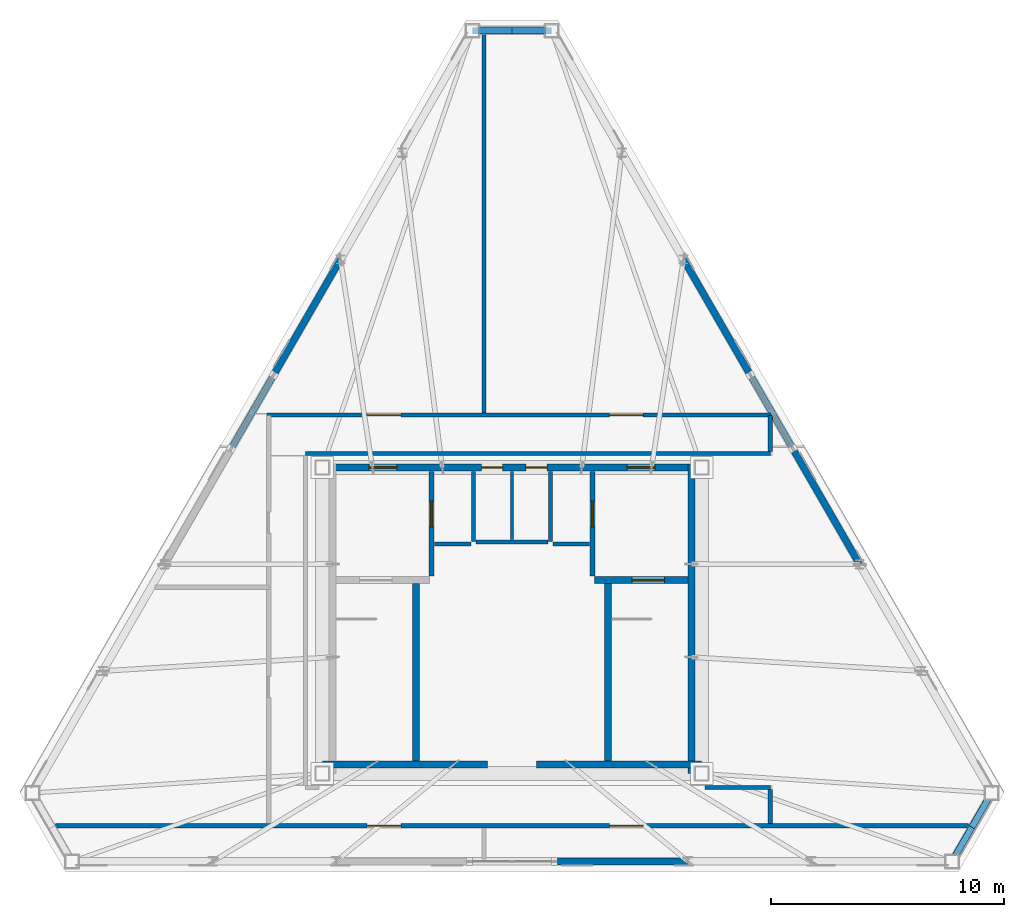
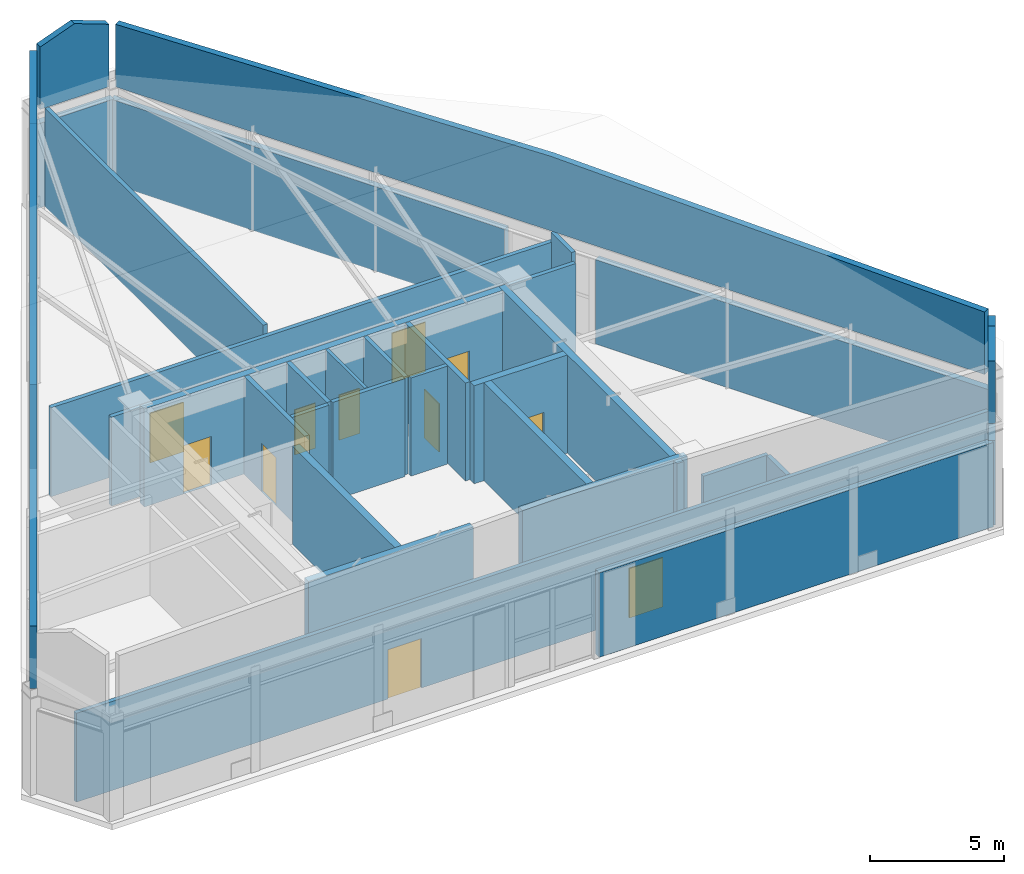
# One storey, part 10 of 11: 32 walls, 11 doors, 11 openings.
"""IFC4 building model written with IfcOpenShell, lengths in metres."""

from ifc_helpers import new_model, si_unit, direction, frame, frame_2d, origin, place, context, subcontext, project, spatial, polyline, rectangle, outline, extrude, material, layer, layer_set, type_object, element, fill, save


model = new_model("IFC4")

# Units and contexts
model_context = context("Model", 3, precision=1e-05, world=origin(), true_north=direction((0.0, 1.0)))
body_context = subcontext(model_context, "Body", "Model", "MODEL_VIEW")
ifc_project = project(units=[si_unit("LENGTHUNIT", "METRE"), si_unit("AREAUNIT", "SQUARE_METRE"), si_unit("VOLUMEUNIT", "CUBIC_METRE"), si_unit("PLANEANGLEUNIT", "RADIAN"), si_unit("MASSUNIT", "GRAM", prefix="KILO")], contexts=[model_context])

# Site, building, storey
site_placement = place(None, origin())
site = spatial("IfcSite", under=ifc_project, at=site_placement, CompositionType="ELEMENT")
building_placement = place(site_placement, origin())
building = spatial("IfcBuilding", under=site, at=building_placement, Name="Oramaril Tower", CompositionType="ELEMENT")
storey_placement = place(building_placement, frame((0.0, 0.0, 318.89990234375)))
storey = spatial("IfcBuildingStorey", under=building, at=storey_placement, Name="L83", CompositionType="ELEMENT", Elevation=318.89990234375)

# Walls
ifc_material_1 = material(Name="Warm Cream Limestone", Category="masonry")
ifc_layer_1 = layer(ifc_material_1, 0.2900390625)
ifc_layer_set_1 = layer_set([ifc_layer_1], Name="WT-EXT29")
wall_type_1 = type_object("IfcWallType", Name="WT-EXT29", PredefinedType="SOLIDWALL", material=ifc_layer_set_1)
wall_1_placement = place(storey_placement, frame((39.449951171875, 7.218994140625, 0.0), z_axis=(0.0, 0.0, 1.0), x_axis=(1.0, 0.0, 0.0)))
element("IfcWall", 1, at=wall_1_placement, inside=storey, type_object=wall_type_1, Name="L83 Tower Limestone Facade Wall 2R", PredefinedType="SOLIDWALL", context=body_context, shape_type="SweptSolid", body=[
    extrude(rectangle(XDim=16.96337890625, YDim=0.2900390625, at=frame_2d((8.481689453125, 0.0))), origin(), (0.0, 0.0, 1.0), 3.838134765625),
])
wall_2_placement = place(storey_placement, frame((56.413330078125, 7.218994140625, 0.0), z_axis=(0.0, 0.0, 1.0), x_axis=(0.499996186757, 0.86602760535, 0.0)))
element("IfcWall", 2, at=wall_2_placement, inside=storey, type_object=wall_type_1, Name="L83 Tower Limestone Facade Wall 3M", PredefinedType="SOLIDWALL", context=body_context, shape_type="SweptSolid", body=[
    extrude(rectangle(XDim=3.39697265625, YDim=0.2900390625, at=frame_2d((1.698486328125, 0.0))), origin(), (0.0, 0.0, 1.0), 3.838134765625),
])
wall_3_placement = place(storey_placement, frame((58.11181640625, 10.160888671875, 0.0), z_axis=(0.0, 0.0, 1.0), x_axis=(-0.499994871756, 0.866028364557, 0.0)))
element("IfcWall", 3, at=wall_3_placement, inside=storey, type_object=wall_type_1, Name="L83 Tower Limestone Facade Wall 4L", PredefinedType="SOLIDWALL", context=body_context, shape_type="SweptSolid", body=[
    extrude(rectangle(XDim=16.963623046875, YDim=0.2900390625, at=frame_2d((8.48193359375, 0.0))), origin(), (0.0, 0.0, 1.0), 3.838134765625),
])
wall_4_placement = place(storey_placement, frame((47.68017578125, 28.229248046875, 0.0), z_axis=(0.0, 0.0, 1.0), x_axis=(-0.500001103727, 0.866024766546, 0.0)))
element("IfcWall", 4, at=wall_4_placement, inside=storey, type_object=wall_type_1, Name="L83 Tower Limestone Facade Wall 4R", PredefinedType="SOLIDWALL", context=body_context, shape_type="SweptSolid", body=[
    extrude(rectangle(XDim=16.96337890625, YDim=0.2900390625, at=frame_2d((8.481689453125, 0.0))), origin(), (0.0, 0.0, 1.0), 3.838134765625),
])
wall_5_placement = place(storey_placement, frame((39.198486328125, 42.919921875, 0.0), z_axis=(0.0, 0.0, 1.0), x_axis=(-1.0, 0.0, 0.0)))
element("IfcWall", 5, at=wall_5_placement, inside=storey, type_object=wall_type_1, Name="L83 Tower Limestone Facade Wall 5M", PredefinedType="SOLIDWALL", context=body_context, shape_type="SweptSolid", body=[
    extrude(rectangle(XDim=3.39697265625, YDim=0.2900390625, at=frame_2d((1.698486328125, 0.0))), origin(), (0.0, 0.0, 1.0), 3.838134765625),
])
wall_6_placement = place(storey_placement, frame((35.801513671875, 42.919921875, 0.0), z_axis=(0.0, 0.0, 1.0), x_axis=(-0.500001103727, -0.866024766546, 0.0)))
element("IfcWall", 6, at=wall_6_placement, inside=storey, type_object=wall_type_1, Name="L83 Tower Limestone Facade Wall 6L", PredefinedType="SOLIDWALL", context=body_context, shape_type="SweptSolid", body=[
    extrude(rectangle(XDim=16.96337890625, YDim=0.2900390625, at=frame_2d((8.481689453125, 0.0))), origin(), (0.0, 0.0, 1.0), 3.838134765625),
])
ifc_material_2 = material(Name="Warm Cream Limestone", Category="masonry")
ifc_layer_2 = layer(ifc_material_2, 0.27001953125)
ifc_layer_set_2 = layer_set([ifc_layer_2], Name="WT-PRP27")
wall_type_2 = type_object("IfcWallType", Name="WT-PRP27", PredefinedType="PARAPET", material=ifc_layer_set_2)
wall_7_placement = place(storey_placement, frame((56.5234375, 7.409423828125, 4.460205078125), z_axis=(0.0, 0.0, 1.0), x_axis=(0.499974964482, 0.866039857565, 0.0)))
element("IfcWall", 7, at=wall_7_placement, inside=storey, type_object=wall_type_2, Name="L83 Folded Crown Parapet PW-3", PredefinedType="PARAPET", context=body_context, shape_type="SweptSolid", body=[
    extrude(outline(polyline([(0.0, 0.0), (2.957275390625, 0.0), (2.95703125, 2.83984375), (1.478515625, 3.389892578125), (0.0, 2.83984375), (0.0, 0.0)])), frame((0.0, 0.135009765625, 0.0), z_axis=(0.0, -1.0, 0.0), x_axis=(1.0, 0.0, 0.0)), (0.0, 0.0, 1.0), 0.27001953125),
])
wall_8_placement = place(storey_placement, frame((58.001953125, 10.3515625, 4.460205078125), z_axis=(0.0, 0.0, 1.0), x_axis=(-0.499999056233, 0.866025948668, 0.0)))
element("IfcWall", 8, at=wall_8_placement, inside=storey, type_object=wall_type_2, Name="L83 Folded Crown Parapet PW-4", PredefinedType="PARAPET", context=body_context, shape_type="SweptSolid", body=[
    extrude(outline(polyline([(0.0, 0.0), (37.38671875, 0.0), (37.386962890625, 2.83984375), (18.693359375, 3.389892578125), (0.0, 2.83984375), (0.0, 0.0)])), frame((0.0, 0.135009765625, 0.0), z_axis=(0.0, -1.0, 0.0), x_axis=(1.0, 0.0, 0.0)), (0.0, 0.0, 1.0), 0.27001953125),
])
wall_9_placement = place(storey_placement, frame((38.978515625, 42.919921875, 4.460205078125), z_axis=(0.0, 0.0, 1.0), x_axis=(-1.0, 0.0, 0.0)))
element("IfcWall", 9, at=wall_9_placement, inside=storey, type_object=wall_type_2, Name="L83 Folded Crown Parapet PW-5", PredefinedType="PARAPET", context=body_context, shape_type="SweptSolid", body=[
    extrude(outline(polyline([(0.0, 0.0), (2.95703125, 0.0), (2.95703125, 2.83984375), (1.478515625, 3.389892578125), (0.0, 2.83984375), (0.0, 0.0)])), frame((0.0, 0.135009765625, 0.0), z_axis=(0.0, -1.0, 0.0), x_axis=(1.0, 0.0, 0.0)), (0.0, 0.0, 1.0), 0.27001953125),
])
wall_10_placement = place(storey_placement, frame((35.69140625, 42.7294921875, 4.460205078125), z_axis=(0.0, 0.0, 1.0), x_axis=(-0.499999056233, -0.866025948668, 0.0)))
element("IfcWall", 10, at=wall_10_placement, inside=storey, type_object=wall_type_2, Name="L83 Folded Crown Parapet PW-6", PredefinedType="PARAPET", context=body_context, shape_type="SweptSolid", body=[
    extrude(outline(polyline([(0.0, 0.0), (37.38671875, 0.0), (37.386962890625, 2.83984375), (18.693359375, 3.389892578125), (0.0, 2.83984375), (0.0, 0.0)])), frame((0.0, 0.135009765625, 0.0), z_axis=(0.0, -1.0, 0.0), x_axis=(1.0, 0.0, 0.0)), (0.0, 0.0, 1.0), 0.27001953125),
])
ifc_material_3 = material(Name="Acoustic Gypsum Board Partition")
ifc_layer_3 = layer(ifc_material_3, 0.139892578125)
ifc_layer_set_3 = layer_set([ifc_layer_3], Name="WT-PT14")
wall_type_3 = type_object("IfcWallType", Name="WT-PT14", PredefinedType="PARTITIONING", material=ifc_layer_set_3)
wall_11_placement = place(storey_placement, frame((37.5, 21.06005859375, 0.0), z_axis=(0.0, 0.0, 1.0), x_axis=(0.0, 1.0, 0.0)))
element("IfcWall", 11, at=wall_11_placement, inside=storey, type_object=wall_type_3, Name="L83 Core Service Divider", PredefinedType="PARTITIONING", context=body_context, shape_type="SweptSolid", body=[
    extrude(rectangle(XDim=2.919921875, YDim=0.139892578125, at=frame_2d((1.4599609375, 0.0))), origin(), (0.0, 0.0, 1.0), 4.460205078125),
])
ifc_material_4 = material(Name="Autoclaved Cellular Concrete Block", Category="concrete")
ifc_layer_4 = layer(ifc_material_4, 0.179931640625)
ifc_layer_set_4 = layer_set([ifc_layer_4], Name="WT-PT18")
wall_type_4 = type_object("IfcWallType", Name="WT-PT18", PredefinedType="PARTITIONING", material=ifc_layer_set_4)
wall_12_placement = place(storey_placement, frame((35.840087890625, 20.9599609375, 0.0), z_axis=(0.0, 0.0, 1.0), x_axis=(0.0, 1.0, 0.0)))
element("IfcWall", 12, at=wall_12_placement, inside=storey, type_object=wall_type_4, Name="L83 FL-1 East Shaft Wall", PredefinedType="PARTITIONING", context=body_context, shape_type="SweptSolid", body=[
    extrude(rectangle(XDim=3.02001953125, YDim=0.179931640625, at=frame_2d((1.510009765625, 0.0))), origin(), (0.0, 0.0, 1.0), 4.460205078125),
])
wall_13_placement = place(storey_placement, frame((34.159912109375, 20.860107421875, 0.0), z_axis=(0.0, 0.0, 1.0), x_axis=(1.0, 0.0, 0.0)))
element("IfcWall", 13, at=wall_13_placement, inside=storey, type_object=wall_type_4, Name="L83 FL-1 South Shaft Wall", PredefinedType="PARTITIONING", context=body_context, shape_type="SweptSolid", body=[
    extrude(rectangle(XDim=1.580078125, YDim=0.179931640625, at=frame_2d((0.7900390625, 0.0))), origin(), (0.0, 0.0, 1.0), 4.460205078125),
])
wall_14_placement = place(storey_placement, frame((39.159912109375, 20.9599609375, 0.0), z_axis=(0.0, 0.0, 1.0), x_axis=(0.0, 1.0, 0.0)))
element("IfcWall", 14, at=wall_14_placement, inside=storey, type_object=wall_type_4, Name="L83 FL-2 West Shaft Wall", PredefinedType="PARTITIONING", context=body_context, shape_type="SweptSolid", body=[
    extrude(rectangle(XDim=3.02001953125, YDim=0.179931640625, at=frame_2d((1.510009765625, 0.0))), origin(), (0.0, 0.0, 1.0), 4.460205078125),
])
wall_15_placement = place(storey_placement, frame((39.260009765625, 20.860107421875, 0.0), z_axis=(0.0, 0.0, 1.0), x_axis=(1.0, 0.0, 0.0)))
element("IfcWall", 15, at=wall_15_placement, inside=storey, type_object=wall_type_4, Name="L83 FL-2 South Shaft Wall", PredefinedType="PARTITIONING", context=body_context, shape_type="SweptSolid", body=[
    extrude(rectangle(XDim=1.580078125, YDim=0.179931640625, at=frame_2d((0.7900390625, 0.0))), origin(), (0.0, 0.0, 1.0), 4.460205078125),
])
wall_16_placement = place(storey_placement, frame((35.949951171875, 20.949951171875, 0.0), z_axis=(0.0, 0.0, 1.0), x_axis=(1.0, 0.0, 0.0)))
element("IfcWall", 16, at=wall_16_placement, inside=storey, type_object=wall_type_4, Name="L83 Lift Lobby North Partition", PredefinedType="PARTITIONING", context=body_context, shape_type="SweptSolid", body=[
    extrude(rectangle(XDim=3.10009765625, YDim=0.179931640625, at=frame_2d((1.550048828125, 0.0))), origin(), (0.0, 0.0, 1.0), 4.460205078125),
])

# Wall, openings, doors
wall_17_placement = place(storey_placement, frame((17.874755859375, 8.75, 0.0), z_axis=(0.0, 0.0, 1.0), x_axis=(1.0, 0.0, 0.0)))
wall_17 = element("IfcWall", 17, at=wall_17_placement, inside=storey, type_object=wall_type_4, Name="L83 Interior Partition PT-18", PredefinedType="PARTITIONING", context=body_context, shape_type="SweptSolid", body=[
    extrude(rectangle(XDim=39.25048828125, YDim=0.179931640625, at=frame_2d((19.625244140625, 0.0))), origin(), (0.0, 0.0, 1.0), 4.046142578125),
])
opening_1_placement = place(wall_17_placement, frame((13.398193359375, 0.0, 0.0)))
opening_1 = element("IfcOpeningElement", 18, at=opening_1_placement, cuts=wall_17, Name="Opening D-L83-01", PredefinedType="OPENING", context=body_context, shape_type="SweptSolid", body=[
    extrude(rectangle(XDim=1.449951171875, YDim=2.25, at=frame_2d((0.72509765625, 1.125))), frame((0.0, 0.08984375, 0.0), z_axis=(0.0, -1.0, 0.0), x_axis=(1.0, 0.0, 0.0)), (0.0, 0.0, 1.0), 0.179931640625),
])
opening_2_placement = place(wall_17_placement, frame((23.82421875, 0.0, 0.0)))
opening_2 = element("IfcOpeningElement", 19, at=opening_2_placement, cuts=wall_17, Name="Opening D-L83-02", PredefinedType="OPENING", context=body_context, shape_type="SweptSolid", body=[
    extrude(rectangle(XDim=1.449951171875, YDim=2.25, at=frame_2d((0.72509765625, 1.125))), frame((0.0, 0.08984375, 0.0), z_axis=(0.0, -1.0, 0.0), x_axis=(1.0, 0.0, 0.0)), (0.0, 0.0, 1.0), 0.179931640625),
])
ifc_material_5 = material(Name="Painted Galvanised Steel", Category="steel")
door_type_1 = type_object("IfcDoorType", Name="DT-PLT", OperationType="NOTDEFINED", PredefinedType="DOOR", material=ifc_material_5)
door_1_placement = place(opening_1_placement, origin())
door_1 = element("IfcDoor", 20, at=door_1_placement, inside=storey, type_object=door_type_1, Name="L83 L83 Chiller Plant Room Door D-L83-01", OperationType="SINGLE_SWING_RIGHT", OverallHeight=2.25, OverallWidth=1.449951171875, PredefinedType="DOOR", context=body_context, shape_type="SweptSolid", body=[
    extrude(rectangle(XDim=1.449951171875, YDim=2.25, at=frame_2d((0.72509765625, 1.125))), frame((0.0, 0.02490234375, 0.0), z_axis=(0.0, -1.0, 0.0), x_axis=(1.0, 0.0, 0.0)), (0.0, 0.0, 1.0), 0.050048828125),
])
fill(opening_1, door_1)
door_2_placement = place(opening_2_placement, origin())
door_2 = element("IfcDoor", 21, at=door_2_placement, inside=storey, type_object=door_type_1, Name="L83 L83 Air Handling Plant Room Door D-L83-02", OperationType="SINGLE_SWING_LEFT", OverallHeight=2.25, OverallWidth=1.449951171875, PredefinedType="DOOR", context=body_context, shape_type="SweptSolid", body=[
    extrude(rectangle(XDim=1.449951171875, YDim=2.25, at=frame_2d((0.72509765625, 1.125))), frame((0.0, 0.02490234375, 0.0), z_axis=(0.0, -1.0, 0.0), x_axis=(1.0, 0.0, 0.0)), (0.0, 0.0, 1.0), 0.050048828125),
])
fill(opening_2, door_2)

# Walls
wall_18_placement = place(storey_placement, frame((45.800048828125, 10.39990234375, 0.0), z_axis=(0.0, 0.0, 1.0), x_axis=(1.0, 0.0, 0.0)))
element("IfcWall", 22, at=wall_18_placement, inside=storey, type_object=wall_type_4, Name="L83 Interior Partition PT-18", PredefinedType="PARTITIONING", context=body_context, shape_type="SweptSolid", body=[
    extrude(rectangle(XDim=2.800048828125, YDim=0.179931640625, at=frame_2d((1.39990234375, 0.0))), origin(), (0.0, 0.0, 1.0), 4.046142578125),
])
wall_19_placement = place(storey_placement, frame((28.6201171875, 24.75, 0.0), z_axis=(0.0, 0.0, 1.0), x_axis=(1.0, 0.0, 0.0)))
element("IfcWall", 23, at=wall_19_placement, inside=storey, type_object=wall_type_4, Name="L83 Interior Partition PT-18", PredefinedType="PARTITIONING", context=body_context, shape_type="SweptSolid", body=[
    extrude(rectangle(XDim=19.97998046875, YDim=0.179931640625, at=frame_2d((9.989990234375, 0.0))), origin(), (0.0, 0.0, 1.0), 4.046142578125),
])

# Wall, openings, doors
wall_20_placement = place(storey_placement, frame((26.98193359375, 26.39990234375, 0.0), z_axis=(0.0, 0.0, 1.0), x_axis=(1.0, 0.0, 0.0)))
wall_20 = element("IfcWall", 24, at=wall_20_placement, inside=storey, type_object=wall_type_4, Name="L83 Interior Partition PT-18", PredefinedType="PARTITIONING", context=body_context, shape_type="SweptSolid", body=[
    extrude(rectangle(XDim=21.649169921875, YDim=0.179931640625, at=frame_2d((10.82470703125, 0.0))), origin(), (0.0, 0.0, 1.0), 4.046142578125),
])
opening_3_placement = place(wall_20_placement, frame((4.291015625, 0.0, 0.0)))
opening_3 = element("IfcOpeningElement", 25, at=opening_3_placement, cuts=wall_20, Name="Opening D-L83-03", PredefinedType="OPENING", context=body_context, shape_type="SweptSolid", body=[
    extrude(rectangle(XDim=1.449951171875, YDim=2.25, at=frame_2d((0.72509765625, 1.125))), frame((0.0, 0.08984375, 0.0), z_axis=(0.0, -1.0, 0.0), x_axis=(1.0, 0.0, 0.0)), (0.0, 0.0, 1.0), 0.179931640625),
])
opening_4_placement = place(wall_20_placement, frame((14.698486328125, 0.0, 0.0)))
opening_4 = element("IfcOpeningElement", 26, at=opening_4_placement, cuts=wall_20, Name="Opening D-L83-04", PredefinedType="OPENING", context=body_context, shape_type="SweptSolid", body=[
    extrude(rectangle(XDim=1.449951171875, YDim=2.25, at=frame_2d((0.72509765625, 1.125))), frame((0.0, 0.08984375, 0.0), z_axis=(0.0, -1.0, 0.0), x_axis=(1.0, 0.0, 0.0)), (0.0, 0.0, 1.0), 0.179931640625),
])
door_3_placement = place(opening_3_placement, origin())
door_3 = element("IfcDoor", 27, at=door_3_placement, inside=storey, type_object=door_type_1, Name="L83 L83 Fire Water Tank Plant Room Door D-L83-03", OperationType="SINGLE_SWING_RIGHT", OverallHeight=2.25, OverallWidth=1.449951171875, PredefinedType="DOOR", context=body_context, shape_type="SweptSolid", body=[
    extrude(rectangle(XDim=1.449951171875, YDim=2.25, at=frame_2d((0.72509765625, 1.125))), frame((0.0, 0.02490234375, 0.0), z_axis=(0.0, -1.0, 0.0), x_axis=(1.0, 0.0, 0.0)), (0.0, 0.0, 1.0), 0.050048828125),
])
fill(opening_3, door_3)
door_4_placement = place(opening_4_placement, origin())
door_4 = element("IfcDoor", 28, at=door_4_placement, inside=storey, type_object=door_type_1, Name="L83 L83 Stair Pressurisation Plant Room Door D-L83-04", OperationType="SINGLE_SWING_LEFT", OverallHeight=2.25, OverallWidth=1.449951171875, PredefinedType="DOOR", context=body_context, shape_type="SweptSolid", body=[
    extrude(rectangle(XDim=1.449951171875, YDim=2.25, at=frame_2d((0.72509765625, 1.125))), frame((0.0, 0.02490234375, 0.0), z_axis=(0.0, -1.0, 0.0), x_axis=(1.0, 0.0, 0.0)), (0.0, 0.0, 1.0), 0.050048828125),
])
fill(opening_4, door_4)

# Walls
wall_21_placement = place(storey_placement, frame((36.300048828125, 26.493896484375, 0.0), z_axis=(0.0, 0.0, 1.0), x_axis=(0.0, 1.0, 0.0)))
element("IfcWall", 29, at=wall_21_placement, inside=storey, type_object=wall_type_4, Name="L83 Interior Partition PT-18", PredefinedType="PARTITIONING", context=body_context, shape_type="SweptSolid", body=[
    extrude(rectangle(XDim=16.277099609375, YDim=0.179931640625, at=frame_2d((8.138671875, 0.0))), origin(), (0.0, 0.0, 1.0), 4.460205078125),
])
wall_22_placement = place(storey_placement, frame((48.60009765625, 8.843994140625, 0.0), z_axis=(0.0, 0.0, 1.0), x_axis=(0.0, 1.0, 0.0)))
element("IfcWall", 30, at=wall_22_placement, inside=storey, type_object=wall_type_4, Name="L83 Interior Partition PT-18", PredefinedType="PARTITIONING", context=body_context, shape_type="SweptSolid", body=[
    extrude(rectangle(XDim=1.4619140625, YDim=0.179931640625, at=frame_2d((0.73095703125, 0.0))), origin(), (0.0, 0.0, 1.0), 4.046142578125),
])
wall_23_placement = place(storey_placement, frame((48.60009765625, 24.843994140625, 0.0), z_axis=(0.0, 0.0, 1.0), x_axis=(0.0, 1.0, 0.0)))
element("IfcWall", 31, at=wall_23_placement, inside=storey, type_object=wall_type_4, Name="L83 Interior Partition PT-18", PredefinedType="PARTITIONING", context=body_context, shape_type="SweptSolid", body=[
    extrude(rectangle(XDim=1.530029296875, YDim=0.179931640625, at=frame_2d((0.76513671875, 0.0))), origin(), (0.0, 0.0, 1.0), 4.460205078125),
])
ifc_material_6 = material(Name="Concrete C50/60", Category="concrete")
ifc_layer_5 = layer(ifc_material_6, 0.300048828125)
ifc_layer_set_5 = layer_set([ifc_layer_5], Name="WT-SH30")
wall_type_5 = type_object("IfcWallType", Name="WT-SH30", PredefinedType="SHEAR", material=ifc_layer_set_5)
wall_24_placement = place(storey_placement, frame((45.2099609375, 11.0, 0.0), z_axis=(0.0, 0.0, 1.0), x_axis=(0.0, 1.0, 0.0)))
element("IfcWall", 32, at=wall_24_placement, inside=storey, type_object=wall_type_5, Name="L83 Core Shear Wall CW-E", PredefinedType="SHEAR", context=body_context, shape_type="SweptSolid", body=[
    extrude(rectangle(XDim=13.300048828125, YDim=0.300048828125, at=frame_2d((6.64990234375, 0.0))), origin(), (0.0, 0.0, 1.0), 4.460205078125),
])
for number, where, z_axis, x_axis, name in (
    (33, (29.35009765625, 11.389892578125, 0.0), (0.0, 0.0, 1.0), (1.0, 0.0, 0.0), "L83 Core Shear Wall CW-SW"),
    (34, (38.550048828125, 11.389892578125, 0.0), (0.0, 0.0, 1.0), (1.0, 0.0, 0.0), "L83 Core Shear Wall CW-SE"),
):
    element("IfcWall", number, at=place(storey_placement, frame(where, z_axis=z_axis, x_axis=x_axis)), inside=storey, type_object=wall_type_5, Name=name, PredefinedType="SHEAR", context=body_context, shape_type="SweptSolid", body=[
        extrude(rectangle(XDim=7.099853515625, YDim=0.300048828125, at=frame_2d((3.5498046875, 0.0))), origin(), (0.0, 0.0, 1.0), 4.460205078125),
    ])

# Wall, openings, doors
wall_25_placement = place(storey_placement, frame((29.64990234375, 24.14990234375, 0.0), z_axis=(0.0, 0.0, 1.0), x_axis=(1.0, 0.0, 0.0)))
wall_25 = element("IfcWall", 35, at=wall_25_placement, inside=storey, type_object=wall_type_5, Name="L83 Core Shear Wall CW-N", PredefinedType="SHEAR", context=body_context, shape_type="SweptSolid", body=[
    extrude(rectangle(XDim=15.7001953125, YDim=0.300048828125, at=frame_2d((7.85009765625, 0.0))), origin(), (0.0, 0.0, 1.0), 4.460205078125),
])
opening_5_placement = place(wall_25_placement, frame((1.699951171875, 0.0, 0.0)))
opening_5 = element("IfcOpeningElement", 36, at=opening_5_placement, cuts=wall_25, Name="Opening D-L83-FFL1", PredefinedType="OPENING", context=body_context, shape_type="SweptSolid", body=[
    extrude(rectangle(XDim=1.199951171875, YDim=2.199951171875, at=frame_2d((0.60009765625, 1.10009765625))), frame((0.0, 0.14990234375, 0.0), z_axis=(0.0, -1.0, 0.0), x_axis=(1.0, 0.0, 0.0)), (0.0, 0.0, 1.0), 0.300048828125),
])
opening_6_placement = place(wall_25_placement, frame((12.800048828125, 0.0, 0.0)))
opening_6 = element("IfcOpeningElement", 37, at=opening_6_placement, cuts=wall_25, Name="Opening D-L83-FFL2", PredefinedType="OPENING", context=body_context, shape_type="SweptSolid", body=[
    extrude(rectangle(XDim=1.199951171875, YDim=2.199951171875, at=frame_2d((0.60009765625, 1.10009765625))), frame((0.0, 0.14990234375, 0.0), z_axis=(0.0, -1.0, 0.0), x_axis=(1.0, 0.0, 0.0)), (0.0, 0.0, 1.0), 0.300048828125),
])
opening_7_placement = place(wall_25_placement, frame((6.550048828125, 0.0, 0.0)))
opening_7 = element("IfcOpeningElement", 38, at=opening_7_placement, cuts=wall_25, Name="Opening D-L83-SV1", PredefinedType="OPENING", context=body_context, shape_type="SweptSolid", body=[
    extrude(rectangle(XDim=0.89990234375, YDim=2.050048828125, at=frame_2d((0.449951171875, 1.02490234375))), frame((0.0, 0.14990234375, 0.0), z_axis=(0.0, -1.0, 0.0), x_axis=(1.0, 0.0, 0.0)), (0.0, 0.0, 1.0), 0.300048828125),
])
opening_8_placement = place(wall_25_placement, frame((8.449951171875, 0.0, 0.0)))
opening_8 = element("IfcOpeningElement", 39, at=opening_8_placement, cuts=wall_25, Name="Opening D-L83-SV2", PredefinedType="OPENING", context=body_context, shape_type="SweptSolid", body=[
    extrude(rectangle(XDim=0.89990234375, YDim=2.050048828125, at=frame_2d((0.449951171875, 1.02490234375))), frame((0.0, 0.14990234375, 0.0), z_axis=(0.0, -1.0, 0.0), x_axis=(1.0, 0.0, 0.0)), (0.0, 0.0, 1.0), 0.300048828125),
])
ifc_material_7 = material(Name="Painted Galvanised Steel", Category="steel")
door_type_2 = type_object("IfcDoorType", Name="DT-FFL", OperationType="NOTDEFINED", PredefinedType="DOOR", material=ifc_material_7)
door_5_placement = place(opening_5_placement, origin())
door_5 = element("IfcDoor", 40, at=door_5_placement, inside=storey, type_object=door_type_2, Name="L83 Firefighting Lobby 1 Fire Door", OperationType="SINGLE_SWING_LEFT", OverallHeight=2.199951171875, OverallWidth=1.199951171875, PredefinedType="DOOR", context=body_context, shape_type="SweptSolid", body=[
    extrude(rectangle(XDim=1.199951171875, YDim=2.199951171875, at=frame_2d((0.60009765625, 1.10009765625))), frame((0.0, 0.02490234375, 0.0), z_axis=(0.0, -1.0, 0.0), x_axis=(1.0, 0.0, 0.0)), (0.0, 0.0, 1.0), 0.050048828125),
])
fill(opening_5, door_5)
door_6_placement = place(opening_6_placement, origin())
door_6 = element("IfcDoor", 41, at=door_6_placement, inside=storey, type_object=door_type_2, Name="L83 Firefighting Lobby 2 Fire Door", OperationType="SINGLE_SWING_RIGHT", OverallHeight=2.199951171875, OverallWidth=1.199951171875, PredefinedType="DOOR", context=body_context, shape_type="SweptSolid", body=[
    extrude(rectangle(XDim=1.199951171875, YDim=2.199951171875, at=frame_2d((0.60009765625, 1.10009765625))), frame((0.0, 0.02490234375, 0.0), z_axis=(0.0, -1.0, 0.0), x_axis=(1.0, 0.0, 0.0)), (0.0, 0.0, 1.0), 0.050048828125),
])
fill(opening_6, door_6)
ifc_material_8 = material(Name="Painted Galvanised Steel", Category="steel")
door_type_3 = type_object("IfcDoorType", Name="DT-SVC", OperationType="NOTDEFINED", PredefinedType="DOOR", material=ifc_material_8)
door_7_placement = place(opening_7_placement, origin())
door_7 = element("IfcDoor", 42, at=door_7_placement, inside=storey, type_object=door_type_3, Name="L83 Core Service Store 1 Door", OperationType="SINGLE_SWING_LEFT", OverallHeight=2.050048828125, OverallWidth=0.89990234375, PredefinedType="DOOR", context=body_context, shape_type="SweptSolid", body=[
    extrude(rectangle(XDim=0.89990234375, YDim=2.050048828125, at=frame_2d((0.449951171875, 1.02490234375))), frame((0.0, 0.02490234375, 0.0), z_axis=(0.0, -1.0, 0.0), x_axis=(1.0, 0.0, 0.0)), (0.0, 0.0, 1.0), 0.050048828125),
])
fill(opening_7, door_7)
door_8_placement = place(opening_8_placement, origin())
door_8 = element("IfcDoor", 43, at=door_8_placement, inside=storey, type_object=door_type_3, Name="L83 Core Service Store 2 Door", OperationType="SINGLE_SWING_RIGHT", OverallHeight=2.050048828125, OverallWidth=0.89990234375, PredefinedType="DOOR", context=body_context, shape_type="SweptSolid", body=[
    extrude(rectangle(XDim=0.89990234375, YDim=2.050048828125, at=frame_2d((0.449951171875, 1.02490234375))), frame((0.0, 0.02490234375, 0.0), z_axis=(0.0, -1.0, 0.0), x_axis=(1.0, 0.0, 0.0)), (0.0, 0.0, 1.0), 0.050048828125),
])
fill(opening_8, door_8)

# Wall, opening, door
wall_26_placement = place(storey_placement, frame((41.050048828125, 19.31005859375, 0.0), z_axis=(0.0, 0.0, 1.0), x_axis=(1.0, 0.0, 0.0)))
wall_26 = element("IfcWall", 44, at=wall_26_placement, inside=storey, type_object=wall_type_5, Name="L83 Core Shear Wall CW-ST2N", PredefinedType="SHEAR", context=body_context, shape_type="SweptSolid", body=[
    extrude(rectangle(XDim=4.010009765625, YDim=0.300048828125, at=frame_2d((2.0048828125, 0.0))), origin(), (0.0, 0.0, 1.0), 4.460205078125),
])
opening_9_placement = place(wall_26_placement, frame((1.60009765625, 0.0, 0.0)))
opening_9 = element("IfcOpeningElement", 45, at=opening_9_placement, cuts=wall_26, Name="Opening D-L83-ST2", PredefinedType="OPENING", context=body_context, shape_type="SweptSolid", body=[
    extrude(rectangle(XDim=1.39990234375, YDim=2.199951171875, at=frame_2d((0.699951171875, 1.10009765625))), frame((0.0, 0.14990234375, 0.0), z_axis=(0.0, -1.0, 0.0), x_axis=(1.0, 0.0, 0.0)), (0.0, 0.0, 1.0), 0.300048828125),
])
ifc_material_9 = material(Name="Painted Galvanised Steel", Category="steel")
door_type_4 = type_object("IfcDoorType", Name="DT-ST", OperationType="NOTDEFINED", PredefinedType="DOOR", material=ifc_material_9)
door_9_placement = place(opening_9_placement, origin())
door_9 = element("IfcDoor", 46, at=door_9_placement, inside=storey, type_object=door_type_4, Name="L83 Protected Stair ST-2 Fire Door", OperationType="SINGLE_SWING_RIGHT", OverallHeight=2.199951171875, OverallWidth=1.39990234375, PredefinedType="DOOR", context=body_context, shape_type="SweptSolid", body=[
    extrude(rectangle(XDim=1.39990234375, YDim=2.199951171875, at=frame_2d((0.699951171875, 1.10009765625))), frame((0.0, 0.02490234375, 0.0), z_axis=(0.0, -1.0, 0.0), x_axis=(1.0, 0.0, 0.0)), (0.0, 0.0, 1.0), 0.050048828125),
])
fill(opening_9, door_9)

# Walls
for number, where, z_axis, x_axis, name in (
    (47, (33.3798828125, 11.5400390625, 0.0), (0.0, 0.0, 1.0), (0.0, 1.0, 0.0), "L83 Core Shear Wall CW-ST1E"),
    (48, (41.6201171875, 11.5400390625, 0.0), (0.0, 0.0, 1.0), (0.0, 1.0, 0.0), "L83 Core Shear Wall CW-ST2W"),
):
    element("IfcWall", number, at=place(storey_placement, frame(where, z_axis=z_axis, x_axis=x_axis)), inside=storey, type_object=wall_type_5, Name=name, PredefinedType="SHEAR", context=body_context, shape_type="SweptSolid", body=[
        extrude(rectangle(XDim=7.619873046875, YDim=0.300048828125, at=frame_2d((3.81005859375, 0.0))), origin(), (0.0, 0.0, 1.0), 4.460205078125),
    ])

# Wall, opening, door
ifc_material_10 = material(Name="Autoclaved Cellular Concrete Block", Category="concrete")
ifc_layer_6 = layer(ifc_material_10, 0.199951171875)
ifc_layer_set_6 = layer_set([ifc_layer_6], Name="WT-SHF20")
wall_type_6 = type_object("IfcWallType", Name="WT-SHF20", PredefinedType="PARTITIONING", material=ifc_layer_set_6)
wall_27_placement = place(storey_placement, frame((34.0400390625, 19.47998046875, 0.0), z_axis=(0.0, 0.0, 1.0), x_axis=(0.0, 1.0, 0.0)))
wall_27 = element("IfcWall", 49, at=wall_27_placement, inside=storey, type_object=wall_type_6, Name="L83 FL-1 Lobby Shaft Wall", PredefinedType="PARTITIONING", context=body_context, shape_type="SweptSolid", body=[
    extrude(rectangle(XDim=4.5, YDim=0.199951171875, at=frame_2d((2.25, 0.0))), origin(), (0.0, 0.0, 1.0), 4.460205078125),
])
opening_10_placement = place(wall_27_placement, frame((2.1201171875, 0.0, 0.0)))
opening_10 = element("IfcOpeningElement", 50, at=opening_10_placement, cuts=wall_27, Name="Opening LD-L83-FL-1", PredefinedType="OPENING", context=body_context, shape_type="SweptSolid", body=[
    extrude(rectangle(XDim=1.10009765625, YDim=2.199951171875, at=frame_2d((0.550048828125, 1.10009765625))), frame((0.0, 0.10009765625, 0.0), z_axis=(0.0, -1.0, 0.0), x_axis=(1.0, 0.0, 0.0)), (0.0, 0.0, 1.0), 0.199951171875),
])
ifc_material_11 = material(Name="Stainless Steel 316L", Category="steel")
door_type_5 = type_object("IfcDoorType", Name="DT-LD1", OperationType="NOTDEFINED", PredefinedType="DOOR", material=ifc_material_11)
door_10_placement = place(opening_10_placement, origin())
door_10 = element("IfcDoor", 51, at=door_10_placement, inside=storey, type_object=door_type_5, Name="L83 Lift FL-1 Sliding Landing Door", OperationType="SLIDING_TO_LEFT", OverallHeight=2.199951171875, OverallWidth=1.10009765625, PredefinedType="DOOR", context=body_context, shape_type="SweptSolid", body=[
    extrude(rectangle(XDim=1.10009765625, YDim=2.199951171875, at=frame_2d((0.550048828125, 1.10009765625))), frame((0.0, 0.02490234375, 0.0), z_axis=(0.0, -1.0, 0.0), x_axis=(1.0, 0.0, 0.0)), (0.0, 0.0, 1.0), 0.050048828125),
])
fill(opening_10, door_10)

wall_28_placement = place(storey_placement, frame((40.9599609375, 19.47998046875, 0.0), z_axis=(0.0, 0.0, 1.0), x_axis=(0.0, 1.0, 0.0)))
wall_28 = element("IfcWall", 52, at=wall_28_placement, inside=storey, type_object=wall_type_6, Name="L83 FL-2 Lobby Shaft Wall", PredefinedType="PARTITIONING", context=body_context, shape_type="SweptSolid", body=[
    extrude(rectangle(XDim=4.5, YDim=0.199951171875, at=frame_2d((2.25, 0.0))), origin(), (0.0, 0.0, 1.0), 4.460205078125),
])
opening_11_placement = place(wall_28_placement, frame((2.1201171875, 0.0, 0.0)))
opening_11 = element("IfcOpeningElement", 53, at=opening_11_placement, cuts=wall_28, Name="Opening LD-L83-FL-2", PredefinedType="OPENING", context=body_context, shape_type="SweptSolid", body=[
    extrude(rectangle(XDim=1.10009765625, YDim=2.199951171875, at=frame_2d((0.550048828125, 1.10009765625))), frame((0.0, 0.10009765625, 0.0), z_axis=(0.0, -1.0, 0.0), x_axis=(1.0, 0.0, 0.0)), (0.0, 0.0, 1.0), 0.199951171875),
])
door_11_placement = place(opening_11_placement, origin())
door_11 = element("IfcDoor", 54, at=door_11_placement, inside=storey, type_object=door_type_5, Name="L83 Lift FL-2 Sliding Landing Door", OperationType="SLIDING_TO_RIGHT", OverallHeight=2.199951171875, OverallWidth=1.10009765625, PredefinedType="DOOR", context=body_context, shape_type="SweptSolid", body=[
    extrude(rectangle(XDim=1.10009765625, YDim=2.199951171875, at=frame_2d((0.550048828125, 1.10009765625))), frame((0.0, 0.02490234375, 0.0), z_axis=(0.0, -1.0, 0.0), x_axis=(1.0, 0.0, 0.0)), (0.0, 0.0, 1.0), 0.050048828125),
])
fill(opening_11, door_11)

save(model, "model.ifc")
